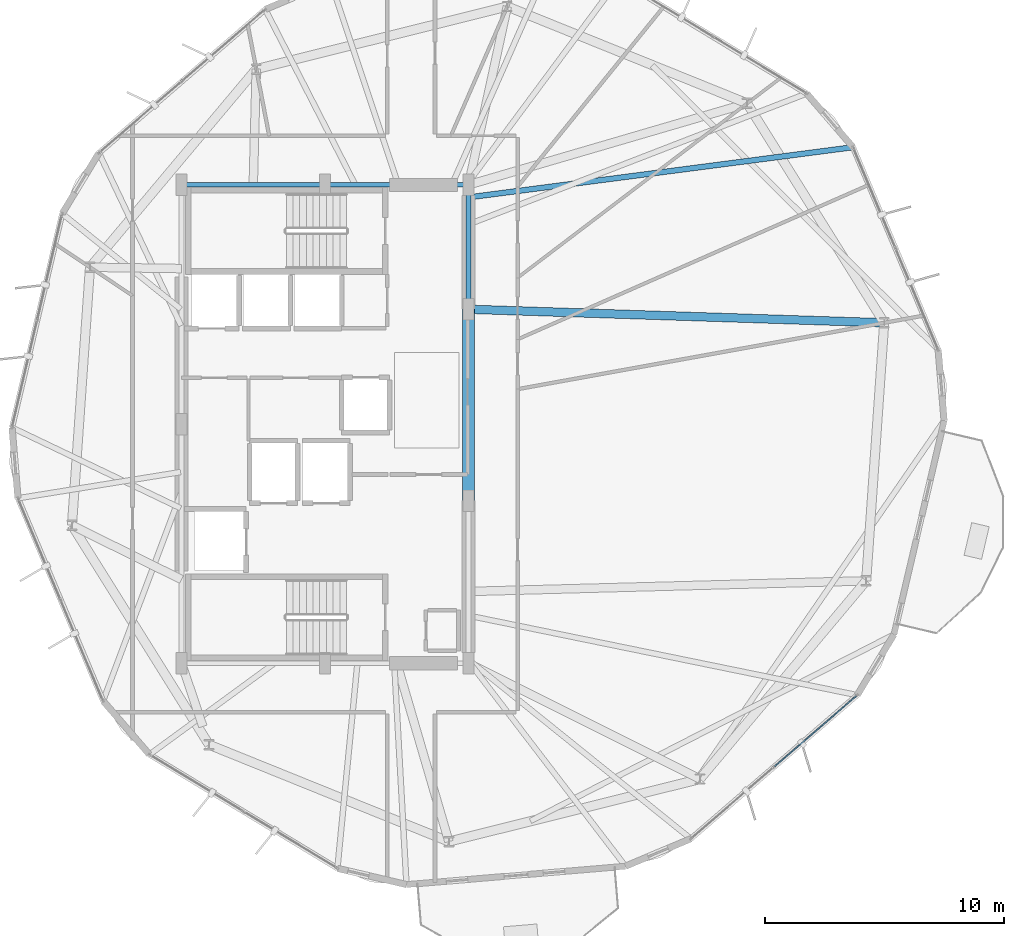
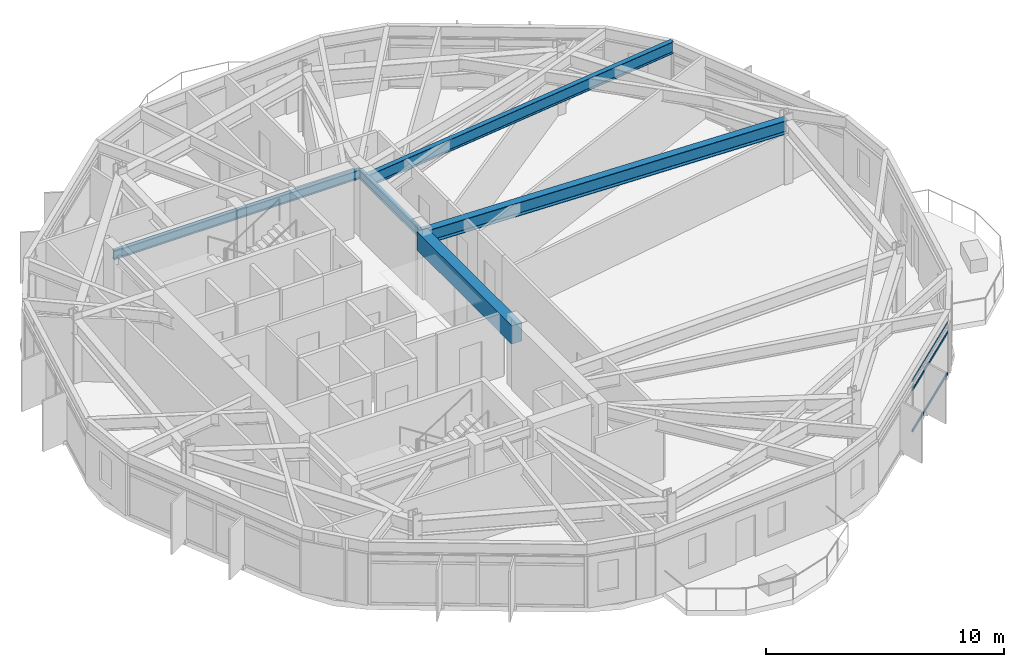
# One storey, part 9 of 27: 6 beams, 3 members, 1 element without a shape of its own.
"""IFC4 building model written with IfcOpenShell, lengths in metres."""

from ifc_helpers import new_model, si_unit, direction, frame, origin, origin_2d, place, context, subcontext, project, spatial, rectangle, hollow_rectangle, i_section, extrude, material, layer, layer_set, material_profile, profile_set, type_object, element, aggregate, save


model = new_model("IFC4")

# Units and contexts
model_context = context("Model", 3, precision=1e-05, world=origin(), true_north=direction((0.0, 1.0)))
body_context = subcontext(model_context, "Body", "Model", "MODEL_VIEW")
ifc_project = project(units=[si_unit("LENGTHUNIT", "METRE"), si_unit("AREAUNIT", "SQUARE_METRE"), si_unit("VOLUMEUNIT", "CUBIC_METRE"), si_unit("PLANEANGLEUNIT", "RADIAN"), si_unit("MASSUNIT", "GRAM", prefix="KILO")], contexts=[model_context])

# Site, building, storey
site_placement = place(None, origin())
site = spatial("IfcSite", under=ifc_project, at=site_placement, CompositionType="ELEMENT")
building_placement = place(site_placement, origin())
building = spatial("IfcBuilding", under=site, at=building_placement, Name="Soratama Intermodal Tower", CompositionType="ELEMENT")
storey_placement = place(building_placement, frame((0.0, 0.0, 182.199951171875)))
storey = spatial("IfcBuildingStorey", under=building, at=storey_placement, Name="L45", CompositionType="ELEMENT", Elevation=182.199951171875)

# Beams
ifc_material_1 = material(Name="Concrete f'c 56 MPa", Category="concrete")
ifc_material_profile_1 = material_profile(ifc_material_1, rectangle(XDim=0.5, YDim=0.949951171875, at=origin_2d()), Name="RC500X950")
ifc_profile_set_1 = profile_set([ifc_material_profile_1], Name="Concrete f'c 56 MPa")
beam_type_1 = type_object("IfcBeamType", Name="BM-CPL-RC500X950", PredefinedType="BEAM", material=ifc_profile_set_1)
beam_1_placement = place(storey_placement, frame((44.60009765625, 21.800048828125, 2.78515625), z_axis=(0.0, 1.0, 0.0), x_axis=(-1.0, 0.0, 0.0)))
element("IfcBeam", 1, at=beam_1_placement, inside=storey, type_object=beam_type_1, Name="L45 Core Coupling Beam East", PredefinedType="BEAM", context=body_context, shape_type="SweptSolid", body=[
    extrude(rectangle(XDim=0.5, YDim=0.949951171875, at=origin_2d()), origin(), (0.0, 0.0, 1.0), 8.0),
])
ifc_material_2 = material(Name="Structural steel ASTM A992 Grade 50", Category="steel")
ifc_material_profile_2 = material_profile(ifc_material_2, i_section(OverallWidth=0.19091796875, OverallDepth=0.4599609375, WebThickness=0.010009765625, FlangeThickness=0.01611328125, FilletRadius=0.010986328125, at=origin_2d()), Name="W18X55")
ifc_profile_set_2 = profile_set([ifc_material_profile_2], Name="Structural steel ASTM A992 Grade 50")
beam_type_2 = type_object("IfcBeamType", Name="BM-FLR-W18X55", PredefinedType="BEAM", material=ifc_profile_set_2)
beam_2_placement = place(storey_placement, frame((44.60009765625, 29.800048828125, 3.030029296875), z_axis=(0.0, 1.0, 0.0), x_axis=(-1.0, 0.0, 0.0)))
element("IfcBeam", 2, at=beam_2_placement, inside=storey, type_object=beam_type_2, Name="BM-L45-CRING-05", PredefinedType="BEAM", context=body_context, shape_type="SweptSolid", body=[
    extrude(i_section(OverallWidth=0.19091796875, OverallDepth=0.4599609375, WebThickness=0.010009765625, FlangeThickness=0.01611328125, FilletRadius=0.010986328125, at=origin_2d()), origin(), (0.0, 0.0, 1.0), 5.199951171875),
])
for number, where, z_axis, x_axis, name in (
    (3, (44.60009765625, 35.0, 3.030029296875), (-1.0, 0.0, 0.0), (0.0, -1.0, 0.0), "BM-L45-CRING-06"),
    (4, (38.60009765625, 35.0, 3.030029296875), (-1.0, 0.0, 0.0), (0.0, -1.0, 0.0), "BM-L45-CRING-07"),
):
    element("IfcBeam", number, at=place(storey_placement, frame(where, z_axis=z_axis, x_axis=x_axis)), inside=storey, type_object=beam_type_2, Name=name, PredefinedType="BEAM", context=body_context, shape_type="SweptSolid", body=[
        extrude(i_section(OverallWidth=0.19091796875, OverallDepth=0.4599609375, WebThickness=0.010009765625, FlangeThickness=0.01611328125, FilletRadius=0.010986328125, at=origin_2d()), origin(), (0.0, 0.0, 1.0), 6.0),
    ])
ifc_material_3 = material(Name="Structural steel ASTM A992 Grade 50", Category="steel")
ifc_material_profile_3 = material_profile(ifc_material_3, i_section(OverallWidth=0.35498046875, OverallDepth=0.695068359375, WebThickness=0.015380859375, FlangeThickness=0.02490234375, FilletRadius=0.01611328125, at=origin_2d()), Name="W27X146")
ifc_profile_set_3 = profile_set([ifc_material_profile_3], Name="Structural steel ASTM A992 Grade 50")
beam_type_3 = type_object("IfcBeamType", Name="BM-RING-W27X146", PredefinedType="BEAM", material=ifc_profile_set_3)
beam_3_placement = place(storey_placement, frame((44.60009765625, 29.800048828125, 2.91259765625), z_axis=(0.999469833309, -0.032558444449, 0.0), x_axis=(0.032558444449, 0.999469833309, 0.0)))
element("IfcBeam", 5, at=beam_3_placement, inside=storey, type_object=beam_type_3, Name="BM-L45-RAD-01", PredefinedType="BEAM", context=body_context, shape_type="SweptSolid", body=[
    extrude(i_section(OverallWidth=0.35498046875, OverallDepth=0.695068359375, WebThickness=0.015380859375, FlangeThickness=0.02490234375, FilletRadius=0.01611328125, at=origin_2d()), origin(), (0.0, 0.0, 1.0), 17.38916015625),
])
ifc_material_4 = material(Name="Structural steel ASTM A992 Grade 50", Category="steel")
ifc_material_profile_4 = material_profile(ifc_material_4, i_section(OverallWidth=0.22900390625, OverallDepth=0.612060546875, WebThickness=0.011962890625, FlangeThickness=0.01953125, FilletRadius=0.012939453125, at=origin_2d()), Name="W24X84")
ifc_profile_set_4 = profile_set([ifc_material_profile_4], Name="Structural steel ASTM A992 Grade 50")
beam_type_4 = type_object("IfcBeamType", Name="BM-TIE-W24X84", PredefinedType="BEAM", material=ifc_profile_set_4)
beam_4_placement = place(storey_placement, frame((44.639892578125, 34.48095703125, 2.9541015625), z_axis=(0.9915927504, 0.129397903208, 0.0), x_axis=(-0.129397903208, 0.9915927504, 0.0)))
element("IfcBeam", 6, at=beam_4_placement, inside=storey, type_object=beam_type_4, Name="BM-L45-TIE1-10", PredefinedType="BEAM", context=body_context, shape_type="SweptSolid", body=[
    extrude(i_section(OverallWidth=0.22900390625, OverallDepth=0.612060546875, WebThickness=0.011962890625, FlangeThickness=0.01953125, FilletRadius=0.012939453125, at=origin_2d()), origin(), (0.0, 0.0, 1.0), 16.175048828125),
])

# Curtain wall, members
ifc_material_5 = material(Name="Double-glazed aluminium curtain wall", Category="aluminium")
ifc_layer = layer(ifc_material_5, 0.159912109375)
ifc_layer_set = layer_set([ifc_layer], Name="Double-glazed aluminium curtain wall")
curtain_wall_type = type_object("IfcCurtainWallType", Name="CW-SYS-4", PredefinedType="NOTDEFINED", material=ifc_layer_set)
curtain_wall_placement = place(storey_placement, origin())
curtain_wall = element("IfcCurtainWall", 7, at=curtain_wall_placement, inside=storey, type_object=curtain_wall_type, Name="L45 Faceted Curtain Wall F08", PredefinedType="NOTDEFINED")
ifc_material_6 = material(Name="Anodised aluminium AA 6063-T6", Category="aluminium")
ifc_material_profile_5 = material_profile(ifc_material_6, hollow_rectangle(XDim=0.06005859375, YDim=0.1298828125, WallThickness=0.0048828125, InnerFilletRadius=0.0048828125, OuterFilletRadius=0.010009765625, at=origin_2d()), Name="CWT130X60X5")
ifc_profile_set_5 = profile_set([ifc_material_profile_5], Name="Anodised aluminium AA 6063-T6")
member_type = type_object("IfcMemberType", Name="TT-CWT-2", PredefinedType="USERDEFINED", material=ifc_profile_set_5)
member_1_placement = place(storey_placement, frame((57.39794921875, 10.682861328125, 0.030029296875), z_axis=(0.756975339047, 0.6534434452, 0.0), x_axis=(-0.6534434452, 0.756975339047, 0.0)))
member_1 = element("IfcMember", 8, at=member_1_placement, type_object=member_type, Name="CW-4 transom 2.1", ObjectType="TRANSOM", PredefinedType="USERDEFINED", context=body_context, shape_type="SweptSolid", body=[
    extrude(hollow_rectangle(XDim=0.06005859375, YDim=0.1298828125, WallThickness=0.0048828125, InnerFilletRadius=0.0048828125, OuterFilletRadius=0.010009765625, at=origin_2d()), origin(), (0.0, 0.0, 1.0), 4.50390625),
])
member_2_placement = place(storey_placement, frame((57.39794921875, 10.682861328125, 2.150146484375), z_axis=(0.756975339047, 0.6534434452, 0.0), x_axis=(-0.6534434452, 0.756975339047, 0.0)))
member_2 = element("IfcMember", 9, at=member_2_placement, type_object=member_type, Name="CW-4 transom 2.2", ObjectType="TRANSOM", PredefinedType="USERDEFINED", context=body_context, shape_type="SweptSolid", body=[
    extrude(hollow_rectangle(XDim=0.06005859375, YDim=0.1298828125, WallThickness=0.0048828125, InnerFilletRadius=0.0048828125, OuterFilletRadius=0.010009765625, at=origin_2d()), origin(), (0.0, 0.0, 1.0), 4.50390625),
])
member_3_placement = place(storey_placement, frame((57.39794921875, 10.682861328125, 2.609130859375), z_axis=(0.756975339047, 0.6534434452, 0.0), x_axis=(-0.6534434452, 0.756975339047, 0.0)))
member_3 = element("IfcMember", 10, at=member_3_placement, type_object=member_type, Name="CW-4 transom 2.3", ObjectType="TRANSOM", PredefinedType="USERDEFINED", context=body_context, shape_type="SweptSolid", body=[
    extrude(hollow_rectangle(XDim=0.06005859375, YDim=0.1298828125, WallThickness=0.0048828125, InnerFilletRadius=0.0048828125, OuterFilletRadius=0.010009765625, at=origin_2d()), origin(), (0.0, 0.0, 1.0), 4.50390625),
])
aggregate(curtain_wall, [member_1, member_2, member_3])

save(model, "model.ifc")
